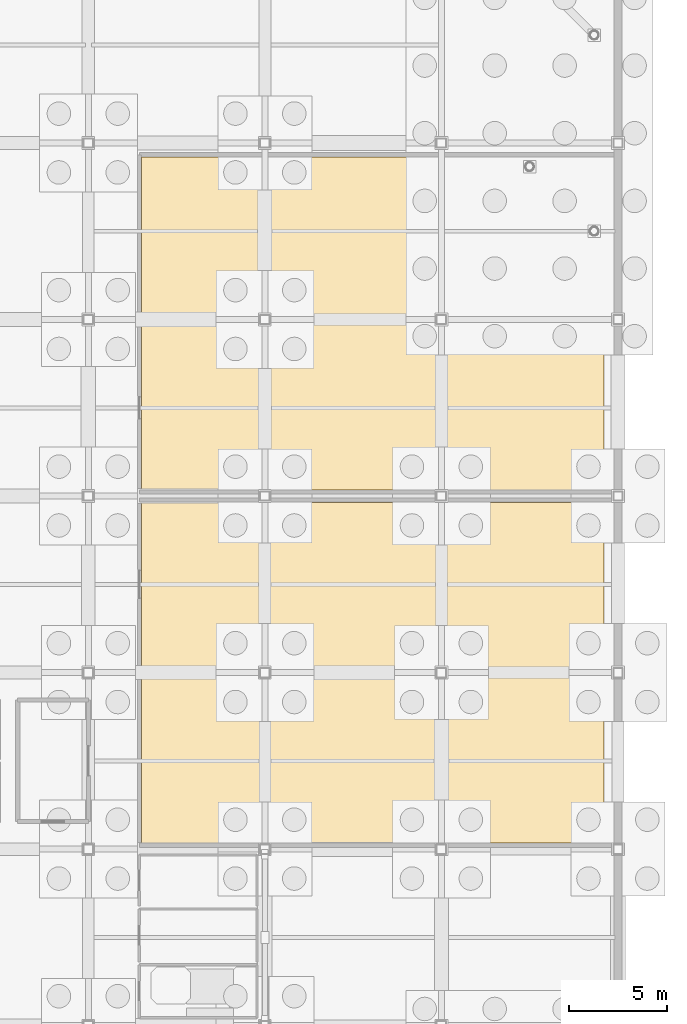
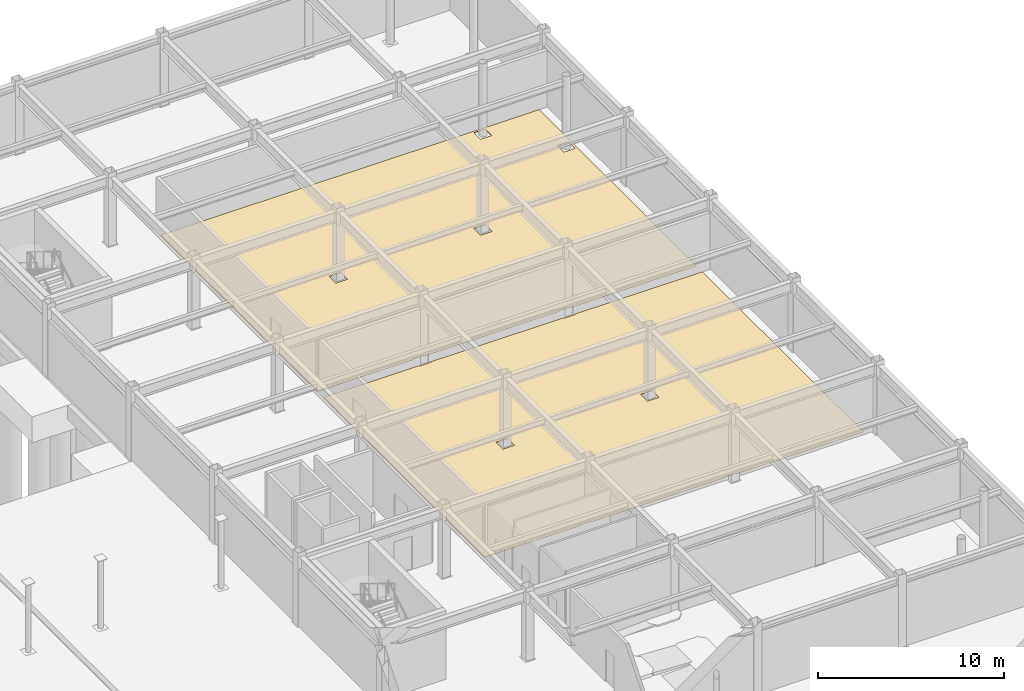
# One storey, part 72 of 74: 2 coverings.
"""IFC4 building model written with IfcOpenShell, lengths in metres."""

from ifc_helpers import new_model, si_unit, direction, frame, origin, place, context, subcontext, project, spatial, polyline, outline, extrude, material, layer, layer_set, type_object, element, save


model = new_model("IFC4")

# Units and contexts
model_context = context("Model", 3, precision=1e-05, world=origin(), true_north=direction((0.0, 1.0)))
body_context = subcontext(model_context, "Body", "Model", "MODEL_VIEW")
ifc_project = project(units=[si_unit("LENGTHUNIT", "METRE"), si_unit("AREAUNIT", "SQUARE_METRE"), si_unit("VOLUMEUNIT", "CUBIC_METRE"), si_unit("PLANEANGLEUNIT", "RADIAN"), si_unit("MASSUNIT", "GRAM", prefix="KILO")], contexts=[model_context])

# Site, building, storey
site_placement = place(None, origin())
site = spatial("IfcSite", under=ifc_project, at=site_placement, CompositionType="ELEMENT")
building_placement = place(site_placement, origin())
building = spatial("IfcBuilding", under=site, at=building_placement, Name="Suzunagisa Mobility Hub", CompositionType="ELEMENT")
storey_placement = place(building_placement, frame((0.0, 0.0, -4.800048828125)))
storey = spatial("IfcBuildingStorey", under=building, at=storey_placement, Name="B1", CompositionType="ELEMENT", Elevation=-4.800048828125)

# Coverings
ifc_material = material(Name="Polished Aggregate Terrazzo Finish")
ifc_layer = layer(ifc_material, 0.02001953125)
ifc_layer_set = layer_set([ifc_layer], Name="Polished Aggregate Terrazzo Finish")
covering_type = type_object("IfcCoveringType", Name="Polished Terrazzo Heavy-Traffic Flooring FLR-01", PredefinedType="FLOORING", material=ifc_layer_set)
covering_1_placement = place(storey_placement, origin())
element("IfcCovering", 1, at=covering_1_placement, inside=storey, type_object=covering_type, Name="B1 Central HVAC Chiller and Heat-Pump Plant Room Terrazzo Flooring", PredefinedType="FLOORING", context=body_context, shape_type="SweptSolid", body=[
    extrude(outline(polyline([(170.6298828125, 62.3701171875), (170.6298828125, 62.320068359375), (162.3701171875, 62.320068359375), (162.3701171875, 62.3701171875), (161.6298828125, 62.3701171875), (161.6298828125, 62.320068359375), (155.719970703125, 62.320068359375), (155.719970703125, 79.679931640625), (161.6298828125, 79.679931640625), (161.6298828125, 79.6298828125), (162.3701171875, 79.6298828125), (162.3701171875, 79.679931640625), (170.6298828125, 79.679931640625), (170.6298828125, 79.6298828125), (171.3701171875, 79.6298828125), (171.3701171875, 79.679931640625), (179.280029296875, 79.679931640625), (179.280029296875, 62.320068359375), (171.3701171875, 62.320068359375), (171.3701171875, 62.3701171875), (170.6298828125, 62.3701171875)]), holes=[polyline([(162.3701171875, 70.6298828125), (162.3701171875, 71.3701171875), (161.6298828125, 71.3701171875), (161.6298828125, 70.6298828125), (162.3701171875, 70.6298828125)]), polyline([(171.3701171875, 71.3701171875), (170.6298828125, 71.3701171875), (170.6298828125, 70.6298828125), (171.3701171875, 70.6298828125), (171.3701171875, 71.3701171875)])]), origin(), (0.0, 0.0, 1.0), 0.02001953125),
])
covering_2_placement = place(storey_placement, origin())
element("IfcCovering", 2, at=covering_2_placement, inside=storey, type_object=covering_type, Name="B1 Smoke Extraction Fan and Emergency Generator Plant Terrazzo Flooring", PredefinedType="FLOORING", context=body_context, shape_type="SweptSolid", body=[
    extrude(outline(polyline([(170.6298828125, 80.3701171875), (170.6298828125, 80.320068359375), (162.3701171875, 80.320068359375), (162.3701171875, 80.3701171875), (161.6298828125, 80.3701171875), (161.6298828125, 80.320068359375), (155.719970703125, 80.320068359375), (155.719970703125, 97.280029296875), (179.280029296875, 97.280029296875), (179.280029296875, 80.320068359375), (171.3701171875, 80.320068359375), (171.3701171875, 80.3701171875), (170.6298828125, 80.3701171875)]), holes=[polyline([(162.3701171875, 88.6298828125), (162.3701171875, 89.3701171875), (161.6298828125, 89.3701171875), (161.6298828125, 88.6298828125), (162.3701171875, 88.6298828125)]), polyline([(170.6298828125, 89.3701171875), (170.6298828125, 88.6298828125), (171.3701171875, 88.6298828125), (171.3701171875, 89.3701171875), (170.6298828125, 89.3701171875)]), polyline([(175.8486328125, 97.142822265625), (175.1513671875, 97.142822265625), (175.1513671875, 96.445556640625), (175.8486328125, 96.445556640625), (175.8486328125, 97.142822265625)]), polyline([(179.142822265625, 93.1513671875), (179.142822265625, 93.8486328125), (178.445556640625, 93.8486328125), (178.445556640625, 93.1513671875), (179.142822265625, 93.1513671875)])]), origin(), (0.0, 0.0, 1.0), 0.02001953125),
])

save(model, "model.ifc")
